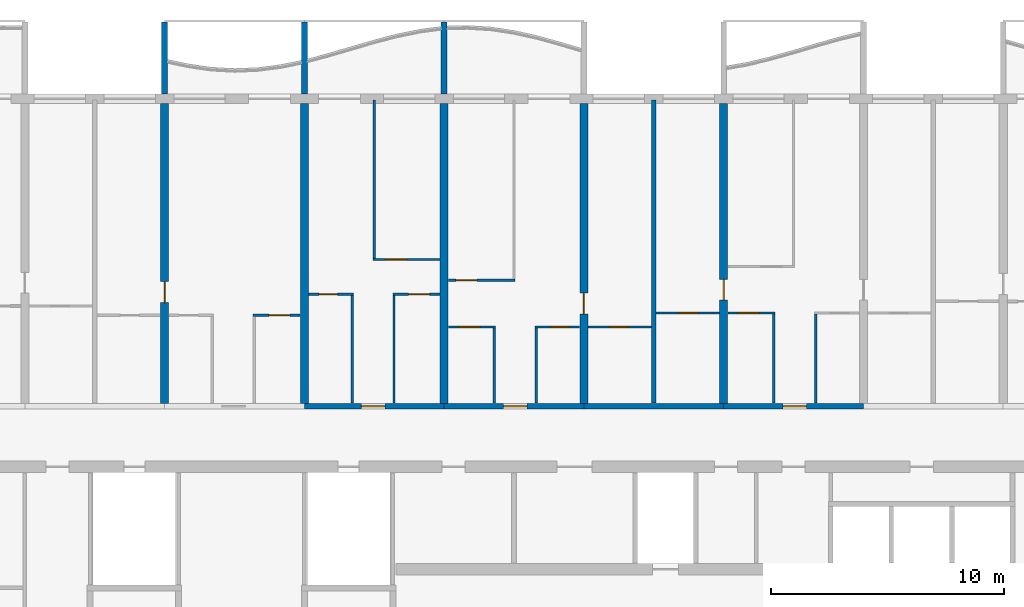
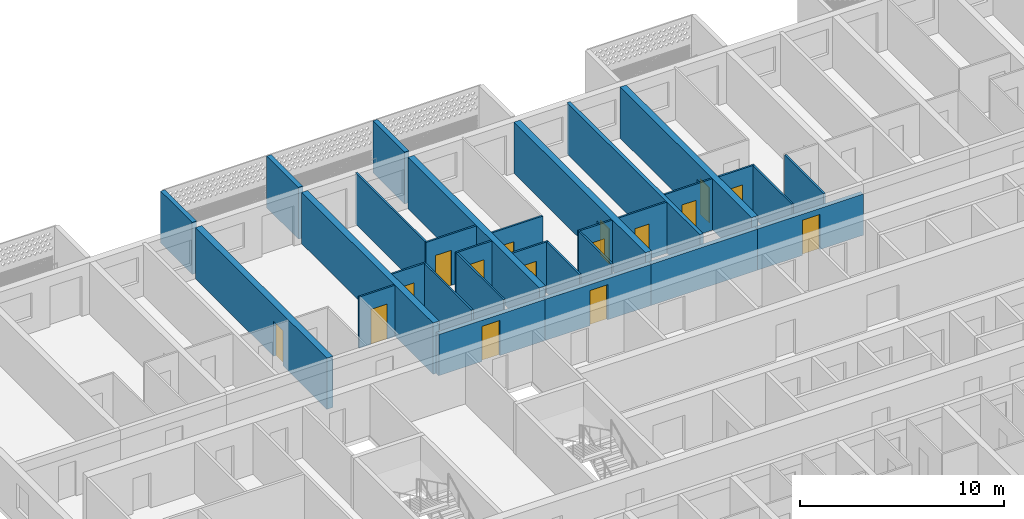
# One storey, part 10 of 25: 30 walls, 16 doors, 16 openings.
"""IFC4 building model written with IfcOpenShell, lengths in metres."""

from ifc_helpers import new_model, si_unit, direction, frame, frame_2d, origin, place, context, subcontext, project, spatial, polyline, rectangle, outline, extrude, source, transform, mapped, material, layer, layer_set, type_object, element, fill, save


model = new_model("IFC4")

# Units and contexts
model_context = context("Model", 3, precision=1e-05, world=origin(), true_north=direction((0.0, 1.0)))
body_context = subcontext(model_context, "Body", "Model", "MODEL_VIEW")
ifc_project = project(units=[si_unit("LENGTHUNIT", "METRE"), si_unit("AREAUNIT", "SQUARE_METRE"), si_unit("VOLUMEUNIT", "CUBIC_METRE"), si_unit("PLANEANGLEUNIT", "RADIAN"), si_unit("MASSUNIT", "GRAM", prefix="KILO")], contexts=[model_context])

# Site, building, storey
site_placement = place(None, origin())
site = spatial("IfcSite", under=ifc_project, at=site_placement, CompositionType="ELEMENT")
building_placement = place(site_placement, origin())
building = spatial("IfcBuilding", under=site, at=building_placement, Name="Poui Terraces", CompositionType="ELEMENT")
storey_placement = place(building_placement, frame((0.0, 0.0, 89.39990234375)))
storey = spatial("IfcBuildingStorey", under=building, at=storey_placement, Name="L24", CompositionType="ELEMENT", Elevation=89.39990234375)

# Wall, opening, door
ifc_material_1 = material(Name="Concrete 65 MPa", Category="concrete")
ifc_layer_1 = layer(ifc_material_1, 0.25)
ifc_layer_set_1 = layer_set([ifc_layer_1], Name="Concrete 65 MPa")
wall_type_1 = type_object("IfcWallType", Name="CORRIDOR WALL 250 65MPa", PredefinedType="SHEAR", material=ifc_layer_set_1)
wall_1_placement = place(storey_placement, frame((30.0, 30.39990234375, 0.0), z_axis=(0.0, 0.0, 1.0), x_axis=(1.0, 0.0, 0.0)))
wall_1 = element("IfcWall", 1, at=wall_1_placement, inside=storey, type_object=wall_type_1, Name="CORRIDOR WALL LINE E BAY 5", PredefinedType="SHEAR", context=body_context, shape_type="SweptSolid", body=[
    extrude(rectangle(XDim=6.0, YDim=0.25, at=frame_2d((3.0, 0.0))), origin(), (0.0, 0.0, 1.0), 2.460205078125),
])
opening_1_placement = place(wall_1_placement, frame((2.449951171875, 0.0, 0.0)))
opening_1 = element("IfcOpeningElement", 2, at=opening_1_placement, cuts=wall_1, Name="Opening FD30S", PredefinedType="OPENING", context=body_context, shape_type="SweptSolid", body=[
    extrude(rectangle(XDim=1.0, YDim=2.10009765625, at=frame_2d((0.5, 1.050048828125))), frame((0.0, 0.135009765625, 0.0), z_axis=(0.0, -1.0, 0.0), x_axis=(1.0, 0.0, 0.0)), (0.0, 0.0, 1.0), 0.27001953125),
])
ifc_material_2 = material(Name="Steel fire door", Category="steel")
door_type_1 = type_object("IfcDoorType", Name="FLAT ENTRANCE DOOR 1000 X 2100", OperationType="NOTDEFINED", PredefinedType="DOOR", material=ifc_material_2)
door_1_placement = place(opening_1_placement, origin())
door_1 = element("IfcDoor", 3, at=door_1_placement, inside=storey, type_object=door_type_1, Name="FLAT ENTRANCE DOOR 044", OperationType="SINGLE_SWING_LEFT", OverallHeight=2.10009765625, OverallWidth=1.0, PredefinedType="DOOR", context=body_context, shape_type="SweptSolid", body=[
    extrude(rectangle(XDim=1.0, YDim=2.10009765625, at=frame_2d((0.5, 1.050048828125))), frame((0.0, 0.02490234375, 0.0), z_axis=(0.0, -1.0, 0.0), x_axis=(1.0, 0.0, 0.0)), (0.0, 0.0, 1.0), 0.050048828125),
])
fill(opening_1, door_1)

wall_2_placement = place(storey_placement, frame((36.0, 30.39990234375, 0.0), z_axis=(0.0, 0.0, 1.0), x_axis=(1.0, 0.0, 0.0)))
wall_2 = element("IfcWall", 4, at=wall_2_placement, inside=storey, type_object=wall_type_1, Name="CORRIDOR WALL LINE E BAY 6", PredefinedType="SHEAR", context=body_context, shape_type="SweptSolid", body=[
    extrude(rectangle(XDim=6.0, YDim=0.25, at=frame_2d((3.0, 0.0))), origin(), (0.0, 0.0, 1.0), 2.460205078125),
])
opening_2_placement = place(wall_2_placement, frame((2.550048828125, 0.0, 0.0)))
opening_2 = element("IfcOpeningElement", 5, at=opening_2_placement, cuts=wall_2, Name="Opening FD30S", PredefinedType="OPENING", context=body_context, shape_type="SweptSolid", body=[
    extrude(rectangle(XDim=1.0, YDim=2.10009765625, at=frame_2d((0.5, 1.050048828125))), frame((0.0, 0.135009765625, 0.0), z_axis=(0.0, -1.0, 0.0), x_axis=(1.0, 0.0, 0.0)), (0.0, 0.0, 1.0), 0.27001953125),
])
door_2_placement = place(opening_2_placement, origin())
door_2 = element("IfcDoor", 6, at=door_2_placement, inside=storey, type_object=door_type_1, Name="FLAT ENTRANCE DOOR 050", OperationType="SINGLE_SWING_RIGHT", OverallHeight=2.10009765625, OverallWidth=1.0, PredefinedType="DOOR", context=body_context, shape_type="SweptSolid", body=[
    extrude(rectangle(XDim=1.0, YDim=2.10009765625, at=frame_2d((0.5, 1.050048828125))), frame((0.0, 0.02490234375, 0.0), z_axis=(0.0, -1.0, 0.0), x_axis=(1.0, 0.0, 0.0)), (0.0, 0.0, 1.0), 0.050048828125),
])
fill(opening_2, door_2)

# Wall
wall_3_placement = place(storey_placement, frame((42.0, 30.39990234375, 0.0), z_axis=(0.0, 0.0, 1.0), x_axis=(1.0, 0.0, 0.0)))
element("IfcWall", 7, at=wall_3_placement, inside=storey, type_object=wall_type_1, Name="CORRIDOR WALL LINE E BAY 7", PredefinedType="SHEAR", context=body_context, shape_type="SweptSolid", body=[
    extrude(rectangle(XDim=6.0, YDim=0.25, at=frame_2d((3.0, 0.0))), origin(), (0.0, 0.0, 1.0), 2.460205078125),
])

# Wall, opening, door
wall_4_placement = place(storey_placement, frame((48.0, 30.39990234375, 0.0), z_axis=(0.0, 0.0, 1.0), x_axis=(1.0, 0.0, 0.0)))
wall_4 = element("IfcWall", 8, at=wall_4_placement, inside=storey, type_object=wall_type_1, Name="CORRIDOR WALL LINE E BAY 8", PredefinedType="SHEAR", context=body_context, shape_type="SweptSolid", body=[
    extrude(rectangle(XDim=6.0, YDim=0.25, at=frame_2d((3.0, 0.0))), origin(), (0.0, 0.0, 1.0), 2.460205078125),
])
opening_3_placement = place(wall_4_placement, frame((2.550048828125, 0.0, 0.0)))
opening_3 = element("IfcOpeningElement", 9, at=opening_3_placement, cuts=wall_4, Name="Opening FD30S", PredefinedType="OPENING", context=body_context, shape_type="SweptSolid", body=[
    extrude(rectangle(XDim=1.0, YDim=2.10009765625, at=frame_2d((0.5, 1.050048828125))), frame((0.0, 0.135009765625, 0.0), z_axis=(0.0, -1.0, 0.0), x_axis=(1.0, 0.0, 0.0)), (0.0, 0.0, 1.0), 0.27001953125),
])
door_3_placement = place(opening_3_placement, origin())
door_3 = element("IfcDoor", 10, at=door_3_placement, inside=storey, type_object=door_type_1, Name="FLAT ENTRANCE DOOR 058", OperationType="SINGLE_SWING_RIGHT", OverallHeight=2.10009765625, OverallWidth=1.0, PredefinedType="DOOR", context=body_context, shape_type="SweptSolid", body=[
    extrude(rectangle(XDim=1.0, YDim=2.10009765625, at=frame_2d((0.5, 1.050048828125))), frame((0.0, 0.02490234375, 0.0), z_axis=(0.0, -1.0, 0.0), x_axis=(1.0, 0.0, 0.0)), (0.0, 0.0, 1.0), 0.050048828125),
])
fill(opening_3, door_3)

ifc_layer_2 = layer(ifc_material_1, 0.35009765625)
ifc_layer_set_2 = layer_set([ifc_layer_2], Name="Concrete 65 MPa")
wall_type_2 = type_object("IfcWallType", Name="CROSS WALL 350 65MPa", PredefinedType="SHEAR", material=ifc_layer_set_2)
wall_5_placement = place(storey_placement, frame((24.0, 30.52490234375, 0.0), z_axis=(0.0, 0.0, 1.0), x_axis=(0.0, 1.0, 0.0)))
wall_5 = element("IfcWall", 11, at=wall_5_placement, inside=storey, type_object=wall_type_2, Name="CROSS WALL LINE 5 NORTH", PredefinedType="SHEAR", context=body_context, shape_type="SweptSolid", body=[
    extrude(rectangle(XDim=12.875, YDim=0.35009765625, at=frame_2d((6.4375, 0.0))), origin(), (0.0, 0.0, 1.0), 3.06005859375),
])
opening_4_placement = place(wall_5_placement, frame((4.324951171875, 0.0, 0.0)))
opening_4 = element("IfcOpeningElement", 12, at=opening_4_placement, cuts=wall_5, Name="Opening D90", PredefinedType="OPENING", context=body_context, shape_type="SweptSolid", body=[
    extrude(rectangle(XDim=0.89990234375, YDim=2.10009765625, at=frame_2d((0.449951171875, 1.050048828125))), frame((0.0, 0.18505859375, 0.0), z_axis=(0.0, -1.0, 0.0), x_axis=(1.0, 0.0, 0.0)), (0.0, 0.0, 1.0), 0.3701171875),
])
ifc_material_3 = material(Name="Solid core timber door", Category="wood")
door_type_2 = type_object("IfcDoorType", Name="INTERNAL DOOR 900 X 2100", OperationType="NOTDEFINED", PredefinedType="DOOR", material=ifc_material_3)
door_4_placement = place(opening_4_placement, origin())
door_4 = element("IfcDoor", 13, at=door_4_placement, inside=storey, type_object=door_type_2, Name="INTERNAL DOOR 039", OperationType="SINGLE_SWING_LEFT", OverallHeight=2.10009765625, OverallWidth=0.89990234375, PredefinedType="DOOR", context=body_context, shape_type="SweptSolid", body=[
    extrude(rectangle(XDim=0.89990234375, YDim=2.10009765625, at=frame_2d((0.449951171875, 1.050048828125))), frame((0.0, 0.02490234375, 0.0), z_axis=(0.0, -1.0, 0.0), x_axis=(1.0, 0.0, 0.0)), (0.0, 0.0, 1.0), 0.050048828125),
])
fill(opening_4, door_4)

# Walls
for number, where, z_axis, x_axis, name in (
    (14, (30.0, 30.52490234375, 0.0), (0.0, 0.0, 1.0), (0.0, 1.0, 0.0), "CROSS WALL LINE 6 NORTH"),
    (15, (36.0, 30.52490234375, 0.0), (0.0, 0.0, 1.0), (0.0, 1.0, 0.0), "CROSS WALL LINE 7 NORTH"),
):
    element("IfcWall", number, at=place(storey_placement, frame(where, z_axis=z_axis, x_axis=x_axis)), inside=storey, type_object=wall_type_2, Name=name, PredefinedType="SHEAR", context=body_context, shape_type="SweptSolid", body=[
        extrude(rectangle(XDim=12.875, YDim=0.35009765625, at=frame_2d((6.4375, 0.0))), origin(), (0.0, 0.0, 1.0), 3.06005859375),
    ])

# Wall, opening, door
wall_6_placement = place(storey_placement, frame((42.0, 30.52490234375, 0.0), z_axis=(0.0, 0.0, 1.0), x_axis=(0.0, 1.0, 0.0)))
wall_6 = element("IfcWall", 16, at=wall_6_placement, inside=storey, type_object=wall_type_2, Name="CROSS WALL LINE 8 NORTH", PredefinedType="SHEAR", context=body_context, shape_type="SweptSolid", body=[
    extrude(rectangle(XDim=12.875, YDim=0.35009765625, at=frame_2d((6.4375, 0.0))), origin(), (0.0, 0.0, 1.0), 3.06005859375),
])
opening_5_placement = place(wall_6_placement, frame((3.824951171875, 0.0, 0.0)))
opening_5 = element("IfcOpeningElement", 17, at=opening_5_placement, cuts=wall_6, Name="Opening D90", PredefinedType="OPENING", context=body_context, shape_type="SweptSolid", body=[
    extrude(rectangle(XDim=0.89990234375, YDim=2.10009765625, at=frame_2d((0.449951171875, 1.050048828125))), frame((0.0, 0.18505859375, 0.0), z_axis=(0.0, -1.0, 0.0), x_axis=(1.0, 0.0, 0.0)), (0.0, 0.0, 1.0), 0.3701171875),
])
door_5_placement = place(opening_5_placement, frame((0.89990234375, 0.0, 0.0), z_axis=(0.0, 0.0, 1.0), x_axis=(-1.0, 0.0, 0.0)))
door_5 = element("IfcDoor", 18, at=door_5_placement, inside=storey, type_object=door_type_2, Name="INTERNAL DOOR 052", OperationType="SINGLE_SWING_RIGHT", OverallHeight=2.10009765625, OverallWidth=0.89990234375, PredefinedType="DOOR", context=body_context, shape_type="SweptSolid", body=[
    extrude(rectangle(XDim=0.89990234375, YDim=2.10009765625, at=frame_2d((0.449951171875, 1.050048828125))), frame((0.0, 0.02490234375, 0.0), z_axis=(0.0, -1.0, 0.0), x_axis=(1.0, 0.0, 0.0)), (0.0, 0.0, 1.0), 0.050048828125),
])
fill(opening_5, door_5)

wall_7_placement = place(storey_placement, frame((48.0, 30.52490234375, 0.0), z_axis=(0.0, 0.0, 1.0), x_axis=(0.0, 1.0, 0.0)))
wall_7 = element("IfcWall", 19, at=wall_7_placement, inside=storey, type_object=wall_type_2, Name="CROSS WALL LINE 9 NORTH", PredefinedType="SHEAR", context=body_context, shape_type="SweptSolid", body=[
    extrude(rectangle(XDim=12.875, YDim=0.35009765625, at=frame_2d((6.4375, 0.0))), origin(), (0.0, 0.0, 1.0), 3.06005859375),
])
opening_6_placement = place(wall_7_placement, frame((4.425048828125, 0.0, 0.0)))
opening_6 = element("IfcOpeningElement", 20, at=opening_6_placement, cuts=wall_7, Name="Opening D90", PredefinedType="OPENING", context=body_context, shape_type="SweptSolid", body=[
    extrude(rectangle(XDim=0.89990234375, YDim=2.10009765625, at=frame_2d((0.449951171875, 1.050048828125))), frame((0.0, 0.18505859375, 0.0), z_axis=(0.0, -1.0, 0.0), x_axis=(1.0, 0.0, 0.0)), (0.0, 0.0, 1.0), 0.3701171875),
])
door_6_placement = place(opening_6_placement, origin())
door_6 = element("IfcDoor", 21, at=door_6_placement, inside=storey, type_object=door_type_2, Name="INTERNAL DOOR 055", OperationType="SINGLE_SWING_LEFT", OverallHeight=2.10009765625, OverallWidth=0.89990234375, PredefinedType="DOOR", context=body_context, shape_type="SweptSolid", body=[
    extrude(rectangle(XDim=0.89990234375, YDim=2.10009765625, at=frame_2d((0.449951171875, 1.050048828125))), frame((0.0, 0.02490234375, 0.0), z_axis=(0.0, -1.0, 0.0), x_axis=(1.0, 0.0, 0.0)), (0.0, 0.0, 1.0), 0.050048828125),
])
fill(opening_6, door_6)

ifc_material_4 = material(Name="Plasterboard partition")
ifc_layer_3 = layer(ifc_material_4, 0.10009765625)
ifc_layer_set_3 = layer_set([ifc_layer_3], Name="Plasterboard partition")
wall_type_3 = type_object("IfcWallType", Name="FLAT PARTITION 100", PredefinedType="PARTITIONING", material=ifc_layer_set_3)
wall_8_placement = place(storey_placement, frame((36.18505859375, 33.800048828125, 0.0), z_axis=(0.0, 0.0, 1.0), x_axis=(1.0, 0.0, 0.0)))
wall_8 = element("IfcWall", 22, at=wall_8_placement, inside=storey, type_object=wall_type_3, Name="FLAT PARTITION 100", PredefinedType="PARTITIONING", context=body_context, shape_type="SweptSolid", body=[
    extrude(rectangle(XDim=2.014892578125, YDim=0.10009765625, at=frame_2d((1.00732421875, 0.0))), origin(), (0.0, 0.0, 1.0), 3.06005859375),
])
opening_7_placement = place(wall_8_placement, frame((0.43994140625, 0.0, 0.0)))
opening_7 = element("IfcOpeningElement", 23, at=opening_7_placement, cuts=wall_8, Name="Opening D90", PredefinedType="OPENING", context=body_context, shape_type="SweptSolid", body=[
    extrude(rectangle(XDim=0.89990234375, YDim=2.10009765625, at=frame_2d((0.449951171875, 1.050048828125))), frame((0.0, 0.06005859375, 0.0), z_axis=(0.0, -1.0, 0.0), x_axis=(1.0, 0.0, 0.0)), (0.0, 0.0, 1.0), 0.1201171875),
])
door_7_placement = place(opening_7_placement, frame((0.89990234375, 0.0, 0.0), z_axis=(0.0, 0.0, 1.0), x_axis=(-1.0, 0.0, 0.0)))
door_7 = element("IfcDoor", 24, at=door_7_placement, inside=storey, type_object=door_type_2, Name="INTERNAL DOOR 049", OperationType="SINGLE_SWING_RIGHT", OverallHeight=2.10009765625, OverallWidth=0.89990234375, PredefinedType="DOOR", context=body_context, shape_type="SweptSolid", body=[
    extrude(rectangle(XDim=0.89990234375, YDim=2.10009765625, at=frame_2d((0.449951171875, 1.050048828125))), frame((0.0, 0.02490234375, 0.0), z_axis=(0.0, -1.0, 0.0), x_axis=(1.0, 0.0, 0.0)), (0.0, 0.0, 1.0), 0.050048828125),
])
fill(opening_7, door_7)

wall_9_placement = place(storey_placement, frame((39.89990234375, 33.800048828125, 0.0), z_axis=(0.0, 0.0, 1.0), x_axis=(1.0, 0.0, 0.0)))
wall_9 = element("IfcWall", 25, at=wall_9_placement, inside=storey, type_object=wall_type_3, Name="FLAT PARTITION 100", PredefinedType="PARTITIONING", context=body_context, shape_type="SweptSolid", body=[
    extrude(rectangle(XDim=1.9150390625, YDim=0.10009765625, at=frame_2d((0.95751953125, 0.0))), origin(), (0.0, 0.0, 1.0), 3.06005859375),
])
opening_8_placement = place(wall_9_placement, frame((0.675048828125, 0.0, 0.0)))
opening_8 = element("IfcOpeningElement", 26, at=opening_8_placement, cuts=wall_9, Name="Opening D80", PredefinedType="OPENING", context=body_context, shape_type="SweptSolid", body=[
    extrude(rectangle(XDim=0.800048828125, YDim=2.10009765625, at=frame_2d((0.39990234375, 1.050048828125))), frame((0.0, 0.06005859375, 0.0), z_axis=(0.0, -1.0, 0.0), x_axis=(1.0, 0.0, 0.0)), (0.0, 0.0, 1.0), 0.1201171875),
])
door_type_3 = type_object("IfcDoorType", Name="BATHROOM, LAUNDRY AND STORE DOOR 800 X 2100", OperationType="NOTDEFINED", PredefinedType="DOOR", material=ifc_material_3)
door_8_placement = place(opening_8_placement, frame((0.800048828125, 0.0, 0.0), z_axis=(0.0, 0.0, 1.0), x_axis=(-1.0, 0.0, 0.0)))
door_8 = element("IfcDoor", 27, at=door_8_placement, inside=storey, type_object=door_type_3, Name="BATHROOM, LAUNDRY AND STORE DOOR 051", OperationType="SINGLE_SWING_LEFT", OverallHeight=2.10009765625, OverallWidth=0.800048828125, PredefinedType="DOOR", context=body_context, shape_type="SweptSolid", body=[
    extrude(rectangle(XDim=0.800048828125, YDim=2.10009765625, at=frame_2d((0.39990234375, 1.050048828125))), frame((0.0, 0.02490234375, 0.0), z_axis=(0.0, -1.0, 0.0), x_axis=(1.0, 0.0, 0.0)), (0.0, 0.0, 1.0), 0.050048828125),
])
fill(opening_8, door_8)

wall_10_placement = place(storey_placement, frame((42.18505859375, 33.800048828125, 0.0), z_axis=(0.0, 0.0, 1.0), x_axis=(1.0, 0.0, 0.0)))
wall_10 = element("IfcWall", 28, at=wall_10_placement, inside=storey, type_object=wall_type_3, Name="FLAT PARTITION 100", PredefinedType="PARTITIONING", context=body_context, shape_type="SweptSolid", body=[
    extrude(rectangle(XDim=2.71484375, YDim=0.10009765625, at=frame_2d((1.357421875, 0.0))), origin(), (0.0, 0.0, 1.0), 3.06005859375),
])
opening_9_placement = place(wall_10_placement, frame((0.9150390625, 0.0, 0.0)))
opening_9 = element("IfcOpeningElement", 29, at=opening_9_placement, cuts=wall_10, Name="Opening D80", PredefinedType="OPENING", context=body_context, shape_type="SweptSolid", body=[
    extrude(rectangle(XDim=0.800048828125, YDim=2.10009765625, at=frame_2d((0.39990234375, 1.050048828125))), frame((0.0, 0.06005859375, 0.0), z_axis=(0.0, -1.0, 0.0), x_axis=(1.0, 0.0, 0.0)), (0.0, 0.0, 1.0), 0.1201171875),
])
door_9_placement = place(opening_9_placement, frame((0.800048828125, 0.0, 0.0), z_axis=(0.0, 0.0, 1.0), x_axis=(-1.0, 0.0, 0.0)))
door_9 = element("IfcDoor", 30, at=door_9_placement, inside=storey, type_object=door_type_3, Name="BATHROOM, LAUNDRY AND STORE DOOR 047", OperationType="SINGLE_SWING_RIGHT", OverallHeight=2.10009765625, OverallWidth=0.800048828125, PredefinedType="DOOR", context=body_context, shape_type="SweptSolid", body=[
    extrude(rectangle(XDim=0.800048828125, YDim=2.10009765625, at=frame_2d((0.39990234375, 1.050048828125))), frame((0.0, 0.02490234375, 0.0), z_axis=(0.0, -1.0, 0.0), x_axis=(1.0, 0.0, 0.0)), (0.0, 0.0, 1.0), 0.050048828125),
])
fill(opening_9, door_9)

wall_11_placement = place(storey_placement, frame((27.800048828125, 34.300048828125, 0.0), z_axis=(0.0, 0.0, 1.0), x_axis=(1.0, 0.0, 0.0)))
wall_11 = element("IfcWall", 31, at=wall_11_placement, inside=storey, type_object=wall_type_3, Name="FLAT PARTITION 100", PredefinedType="PARTITIONING", context=body_context, shape_type="SweptSolid", body=[
    extrude(rectangle(XDim=2.014892578125, YDim=0.10009765625, at=frame_2d((1.00732421875, 0.0))), origin(), (0.0, 0.0, 1.0), 3.06005859375),
])
opening_10_placement = place(wall_11_placement, frame((0.675048828125, 0.0, 0.0)))
opening_10 = element("IfcOpeningElement", 32, at=opening_10_placement, cuts=wall_11, Name="Opening D90", PredefinedType="OPENING", context=body_context, shape_type="SweptSolid", body=[
    extrude(rectangle(XDim=0.89990234375, YDim=2.10009765625, at=frame_2d((0.449951171875, 1.050048828125))), frame((0.0, 0.06005859375, 0.0), z_axis=(0.0, -1.0, 0.0), x_axis=(1.0, 0.0, 0.0)), (0.0, 0.0, 1.0), 0.1201171875),
])
door_10_placement = place(opening_10_placement, frame((0.89990234375, 0.0, 0.0), z_axis=(0.0, 0.0, 1.0), x_axis=(-1.0, 0.0, 0.0)))
door_10 = element("IfcDoor", 33, at=door_10_placement, inside=storey, type_object=door_type_2, Name="INTERNAL DOOR 042", OperationType="SINGLE_SWING_RIGHT", OverallHeight=2.10009765625, OverallWidth=0.89990234375, PredefinedType="DOOR", context=body_context, shape_type="SweptSolid", body=[
    extrude(rectangle(XDim=0.89990234375, YDim=2.10009765625, at=frame_2d((0.449951171875, 1.050048828125))), frame((0.0, 0.02490234375, 0.0), z_axis=(0.0, -1.0, 0.0), x_axis=(1.0, 0.0, 0.0)), (0.0, 0.0, 1.0), 0.050048828125),
])
fill(opening_10, door_10)

wall_12_placement = place(storey_placement, frame((45.10009765625, 34.39990234375, 0.0), z_axis=(0.0, 0.0, 1.0), x_axis=(1.0, 0.0, 0.0)))
wall_12 = element("IfcWall", 34, at=wall_12_placement, inside=storey, type_object=wall_type_3, Name="FLAT PARTITION 100", PredefinedType="PARTITIONING", context=body_context, shape_type="SweptSolid", body=[
    extrude(rectangle(XDim=2.71484375, YDim=0.10009765625, at=frame_2d((1.357421875, 0.0))), origin(), (0.0, 0.0, 1.0), 3.06005859375),
])
opening_11_placement = place(wall_12_placement, frame((1.0, 0.0, 0.0)))
opening_11 = element("IfcOpeningElement", 35, at=opening_11_placement, cuts=wall_12, Name="Opening D80", PredefinedType="OPENING", context=body_context, shape_type="SweptSolid", body=[
    extrude(rectangle(XDim=0.800048828125, YDim=2.10009765625, at=frame_2d((0.39990234375, 1.050048828125))), frame((0.0, 0.06005859375, 0.0), z_axis=(0.0, -1.0, 0.0), x_axis=(1.0, 0.0, 0.0)), (0.0, 0.0, 1.0), 0.1201171875),
])
door_11_placement = place(opening_11_placement, frame((0.800048828125, 0.0, 0.0), z_axis=(0.0, 0.0, 1.0), x_axis=(-1.0, 0.0, 0.0)))
door_11 = element("IfcDoor", 36, at=door_11_placement, inside=storey, type_object=door_type_3, Name="BATHROOM, LAUNDRY AND STORE DOOR 053", OperationType="SINGLE_SWING_LEFT", OverallHeight=2.10009765625, OverallWidth=0.800048828125, PredefinedType="DOOR", context=body_context, shape_type="SweptSolid", body=[
    extrude(rectangle(XDim=0.800048828125, YDim=2.10009765625, at=frame_2d((0.39990234375, 1.050048828125))), frame((0.0, 0.02490234375, 0.0), z_axis=(0.0, -1.0, 0.0), x_axis=(1.0, 0.0, 0.0)), (0.0, 0.0, 1.0), 0.050048828125),
])
fill(opening_11, door_11)

wall_13_placement = place(storey_placement, frame((48.18505859375, 34.39990234375, 0.0), z_axis=(0.0, 0.0, 1.0), x_axis=(1.0, 0.0, 0.0)))
wall_13 = element("IfcWall", 37, at=wall_13_placement, inside=storey, type_object=wall_type_3, Name="FLAT PARTITION 100", PredefinedType="PARTITIONING", context=body_context, shape_type="SweptSolid", body=[
    extrude(rectangle(XDim=2.014892578125, YDim=0.10009765625, at=frame_2d((1.00732421875, 0.0))), origin(), (0.0, 0.0, 1.0), 3.06005859375),
])
opening_12_placement = place(wall_13_placement, frame((0.43994140625, 0.0, 0.0)))
opening_12 = element("IfcOpeningElement", 38, at=opening_12_placement, cuts=wall_13, Name="Opening D90", PredefinedType="OPENING", context=body_context, shape_type="SweptSolid", body=[
    extrude(rectangle(XDim=0.89990234375, YDim=2.10009765625, at=frame_2d((0.449951171875, 1.050048828125))), frame((0.0, 0.06005859375, 0.0), z_axis=(0.0, -1.0, 0.0), x_axis=(1.0, 0.0, 0.0)), (0.0, 0.0, 1.0), 0.1201171875),
])
door_12_placement = place(opening_12_placement, frame((0.89990234375, 0.0, 0.0), z_axis=(0.0, 0.0, 1.0), x_axis=(-1.0, 0.0, 0.0)))
door_12 = element("IfcDoor", 39, at=door_12_placement, inside=storey, type_object=door_type_2, Name="INTERNAL DOOR 056", OperationType="SINGLE_SWING_LEFT", OverallHeight=2.10009765625, OverallWidth=0.89990234375, PredefinedType="DOOR", context=body_context, shape_type="SweptSolid", body=[
    extrude(rectangle(XDim=0.89990234375, YDim=2.10009765625, at=frame_2d((0.449951171875, 1.050048828125))), frame((0.0, 0.02490234375, 0.0), z_axis=(0.0, -1.0, 0.0), x_axis=(1.0, 0.0, 0.0)), (0.0, 0.0, 1.0), 0.050048828125),
])
fill(opening_12, door_12)

wall_14_placement = place(storey_placement, frame((30.18505859375, 35.199951171875, 0.0), z_axis=(0.0, 0.0, 1.0), x_axis=(1.0, 0.0, 0.0)))
wall_14 = element("IfcWall", 40, at=wall_14_placement, inside=storey, type_object=wall_type_3, Name="FLAT PARTITION 100", PredefinedType="PARTITIONING", context=body_context, shape_type="SweptSolid", body=[
    extrude(rectangle(XDim=1.9150390625, YDim=0.10009765625, at=frame_2d((0.95751953125, 0.0))), origin(), (0.0, 0.0, 1.0), 3.06005859375),
])
opening_13_placement = place(wall_14_placement, frame((0.43994140625, 0.0, 0.0)))
opening_13 = element("IfcOpeningElement", 41, at=opening_13_placement, cuts=wall_14, Name="Opening D80", PredefinedType="OPENING", context=body_context, shape_type="SweptSolid", body=[
    extrude(rectangle(XDim=0.800048828125, YDim=2.10009765625, at=frame_2d((0.39990234375, 1.050048828125))), frame((0.0, 0.06005859375, 0.0), z_axis=(0.0, -1.0, 0.0), x_axis=(1.0, 0.0, 0.0)), (0.0, 0.0, 1.0), 0.1201171875),
])
door_13_placement = place(opening_13_placement, frame((0.800048828125, 0.0, 0.0), z_axis=(0.0, 0.0, 1.0), x_axis=(-1.0, 0.0, 0.0)))
door_13 = element("IfcDoor", 42, at=door_13_placement, inside=storey, type_object=door_type_3, Name="BATHROOM, LAUNDRY AND STORE DOOR 043", OperationType="SINGLE_SWING_LEFT", OverallHeight=2.10009765625, OverallWidth=0.800048828125, PredefinedType="DOOR", context=body_context, shape_type="SweptSolid", body=[
    extrude(rectangle(XDim=0.800048828125, YDim=2.10009765625, at=frame_2d((0.39990234375, 1.050048828125))), frame((0.0, 0.02490234375, 0.0), z_axis=(0.0, -1.0, 0.0), x_axis=(1.0, 0.0, 0.0)), (0.0, 0.0, 1.0), 0.050048828125),
])
fill(opening_13, door_13)

wall_15_placement = place(storey_placement, frame((33.800048828125, 35.199951171875, 0.0), z_axis=(0.0, 0.0, 1.0), x_axis=(1.0, 0.0, 0.0)))
wall_15 = element("IfcWall", 43, at=wall_15_placement, inside=storey, type_object=wall_type_3, Name="FLAT PARTITION 100", PredefinedType="PARTITIONING", context=body_context, shape_type="SweptSolid", body=[
    extrude(rectangle(XDim=2.014892578125, YDim=0.10009765625, at=frame_2d((1.00732421875, 0.0))), origin(), (0.0, 0.0, 1.0), 3.06005859375),
])
opening_14_placement = place(wall_15_placement, frame((0.675048828125, 0.0, 0.0)))
opening_14 = element("IfcOpeningElement", 44, at=opening_14_placement, cuts=wall_15, Name="Opening D90", PredefinedType="OPENING", context=body_context, shape_type="SweptSolid", body=[
    extrude(rectangle(XDim=0.89990234375, YDim=2.10009765625, at=frame_2d((0.449951171875, 1.050048828125))), frame((0.0, 0.06005859375, 0.0), z_axis=(0.0, -1.0, 0.0), x_axis=(1.0, 0.0, 0.0)), (0.0, 0.0, 1.0), 0.1201171875),
])
door_14_placement = place(opening_14_placement, frame((0.89990234375, 0.0, 0.0), z_axis=(0.0, 0.0, 1.0), x_axis=(-1.0, 0.0, 0.0)))
door_14 = element("IfcDoor", 45, at=door_14_placement, inside=storey, type_object=door_type_2, Name="INTERNAL DOOR 046", OperationType="SINGLE_SWING_RIGHT", OverallHeight=2.10009765625, OverallWidth=0.89990234375, PredefinedType="DOOR", context=body_context, shape_type="SweptSolid", body=[
    extrude(rectangle(XDim=0.89990234375, YDim=2.10009765625, at=frame_2d((0.449951171875, 1.050048828125))), frame((0.0, 0.02490234375, 0.0), z_axis=(0.0, -1.0, 0.0), x_axis=(1.0, 0.0, 0.0)), (0.0, 0.0, 1.0), 0.050048828125),
])
fill(opening_14, door_14)

wall_16_placement = place(storey_placement, frame((36.18505859375, 35.800048828125, 0.0), z_axis=(0.0, 0.0, 1.0), x_axis=(1.0, 0.0, 0.0)))
wall_16 = element("IfcWall", 46, at=wall_16_placement, inside=storey, type_object=wall_type_3, Name="FLAT PARTITION 100", PredefinedType="PARTITIONING", context=body_context, shape_type="SweptSolid", body=[
    extrude(rectangle(XDim=2.864990234375, YDim=0.10009765625, at=frame_2d((1.4326171875, 0.0))), origin(), (0.0, 0.0, 1.0), 3.06005859375),
])
opening_15_placement = place(wall_16_placement, frame((0.31494140625, 0.0, 0.0)))
opening_15 = element("IfcOpeningElement", 47, at=opening_15_placement, cuts=wall_16, Name="Opening D90", PredefinedType="OPENING", context=body_context, shape_type="SweptSolid", body=[
    extrude(rectangle(XDim=0.89990234375, YDim=2.10009765625, at=frame_2d((0.449951171875, 1.050048828125))), frame((0.0, 0.06005859375, 0.0), z_axis=(0.0, -1.0, 0.0), x_axis=(1.0, 0.0, 0.0)), (0.0, 0.0, 1.0), 0.1201171875),
])
door_15_placement = place(opening_15_placement, frame((0.89990234375, 0.0, 0.0), z_axis=(0.0, 0.0, 1.0), x_axis=(-1.0, 0.0, 0.0)))
door_15 = element("IfcDoor", 48, at=door_15_placement, inside=storey, type_object=door_type_2, Name="INTERNAL DOOR 048", OperationType="SINGLE_SWING_LEFT", OverallHeight=2.10009765625, OverallWidth=0.89990234375, PredefinedType="DOOR", context=body_context, shape_type="SweptSolid", body=[
    extrude(rectangle(XDim=0.89990234375, YDim=2.10009765625, at=frame_2d((0.449951171875, 1.050048828125))), frame((0.0, 0.02490234375, 0.0), z_axis=(0.0, -1.0, 0.0), x_axis=(1.0, 0.0, 0.0)), (0.0, 0.0, 1.0), 0.050048828125),
])
fill(opening_15, door_15)

wall_17_placement = place(storey_placement, frame((32.949951171875, 36.699951171875, 0.0), z_axis=(0.0, 0.0, 1.0), x_axis=(1.0, 0.0, 0.0)))
wall_17 = element("IfcWall", 49, at=wall_17_placement, inside=storey, type_object=wall_type_3, Name="FLAT PARTITION 100", PredefinedType="PARTITIONING", context=body_context, shape_type="SweptSolid", body=[
    extrude(rectangle(XDim=2.864990234375, YDim=0.10009765625, at=frame_2d((1.4326171875, 0.0))), origin(), (0.0, 0.0, 1.0), 3.06005859375),
])
opening_16_placement = place(wall_17_placement, frame((0.550048828125, 0.0, 0.0)))
opening_16 = element("IfcOpeningElement", 50, at=opening_16_placement, cuts=wall_17, Name="Opening D90", PredefinedType="OPENING", context=body_context, shape_type="SweptSolid", body=[
    extrude(rectangle(XDim=0.89990234375, YDim=2.10009765625, at=frame_2d((0.449951171875, 1.050048828125))), frame((0.0, 0.06005859375, 0.0), z_axis=(0.0, -1.0, 0.0), x_axis=(1.0, 0.0, 0.0)), (0.0, 0.0, 1.0), 0.1201171875),
])
door_16_placement = place(opening_16_placement, frame((0.89990234375, 0.0, 0.0), z_axis=(0.0, 0.0, 1.0), x_axis=(-1.0, 0.0, 0.0)))
door_16 = element("IfcDoor", 51, at=door_16_placement, inside=storey, type_object=door_type_2, Name="INTERNAL DOOR 045", OperationType="SINGLE_SWING_LEFT", OverallHeight=2.10009765625, OverallWidth=0.89990234375, PredefinedType="DOOR", context=body_context, shape_type="SweptSolid", body=[
    extrude(rectangle(XDim=0.89990234375, YDim=2.10009765625, at=frame_2d((0.449951171875, 1.050048828125))), frame((0.0, 0.02490234375, 0.0), z_axis=(0.0, -1.0, 0.0), x_axis=(1.0, 0.0, 0.0)), (0.0, 0.0, 1.0), 0.050048828125),
])
fill(opening_16, door_16)

# Walls
wall_18_placement = place(storey_placement, frame((32.050048828125, 30.534912109375, 0.0), z_axis=(0.0, 0.0, 1.0), x_axis=(0.0, 1.0, 0.0)))
element("IfcWall", 52, at=wall_18_placement, inside=storey, type_object=wall_type_3, Name="FLAT PARTITION 100", PredefinedType="PARTITIONING", context=body_context, shape_type="SweptSolid", body=[
    extrude(rectangle(XDim=4.614990234375, YDim=0.10009765625, at=frame_2d((2.3076171875, 0.0))), origin(), (0.0, 0.0, 1.0), 3.06005859375),
])
wall_19_placement = place(storey_placement, frame((33.0, 36.75, 0.0), z_axis=(0.0, 0.0, 1.0), x_axis=(0.0, 1.0, 0.0)))
element("IfcWall", 53, at=wall_19_placement, inside=storey, type_object=wall_type_3, Name="FLAT PARTITION 100", PredefinedType="PARTITIONING", context=body_context, shape_type="SweptSolid", body=[
    extrude(rectangle(XDim=6.7900390625, YDim=0.10009765625, at=frame_2d((3.39501953125, 0.0))), origin(), (0.0, 0.0, 1.0), 3.06005859375),
])
wall_20_placement = place(storey_placement, frame((33.85009765625, 30.534912109375, 0.0), z_axis=(0.0, 0.0, 1.0), x_axis=(0.0, 1.0, 0.0)))
element("IfcWall", 54, at=wall_20_placement, inside=storey, type_object=wall_type_3, Name="FLAT PARTITION 100", PredefinedType="PARTITIONING", context=body_context, shape_type="SweptSolid", body=[
    extrude(rectangle(XDim=4.614990234375, YDim=0.10009765625, at=frame_2d((2.3076171875, 0.0))), origin(), (0.0, 0.0, 1.0), 3.06005859375),
])
for number, where, z_axis, x_axis, name in (
    (55, (38.14990234375, 30.534912109375, 0.0), (0.0, 0.0, 1.0), (0.0, 1.0, 0.0), "FLAT PARTITION 100"),
    (56, (39.949951171875, 30.534912109375, 0.0), (0.0, 0.0, 1.0), (0.0, 1.0, 0.0), "FLAT PARTITION 100"),
):
    element("IfcWall", number, at=place(storey_placement, frame(where, z_axis=z_axis, x_axis=x_axis)), inside=storey, type_object=wall_type_3, Name=name, PredefinedType="PARTITIONING", context=body_context, shape_type="SweptSolid", body=[
        extrude(rectangle(XDim=3.215087890625, YDim=0.10009765625, at=frame_2d((1.607421875, 0.0))), origin(), (0.0, 0.0, 1.0), 3.06005859375),
    ])
for number, where, z_axis, x_axis, name in (
    (57, (50.14990234375, 30.534912109375, 0.0), (0.0, 0.0, 1.0), (0.0, 1.0, 0.0), "FLAT PARTITION 100"),
    (58, (51.949951171875, 30.534912109375, 0.0), (0.0, 0.0, 1.0), (0.0, 1.0, 0.0), "FLAT PARTITION 100"),
):
    element("IfcWall", number, at=place(storey_placement, frame(where, z_axis=z_axis, x_axis=x_axis)), inside=storey, type_object=wall_type_3, Name=name, PredefinedType="PARTITIONING", context=body_context, shape_type="SweptSolid", body=[
        extrude(rectangle(XDim=3.815185546875, YDim=0.10009765625, at=frame_2d((1.90771484375, 0.0))), origin(), (0.0, 0.0, 1.0), 3.06005859375),
    ])
ifc_material_5 = material(Name="Fire-rated masonry wall", Category="masonry")
ifc_layer_4 = layer(ifc_material_5, 0.199951171875)
ifc_layer_set_4 = layer_set([ifc_layer_4], Name="Fire-rated masonry wall")
wall_type_4 = type_object("IfcWallType", Name="FLAT PARTY WALL 200", PredefinedType="PARTITIONING", material=ifc_layer_set_4)
wall_21_placement = place(storey_placement, frame((45.0, 30.534912109375, 0.0), z_axis=(0.0, 0.0, 1.0), x_axis=(0.0, 1.0, 0.0)))
element("IfcWall", 59, at=wall_21_placement, inside=storey, type_object=wall_type_4, Name="FLAT PARTY WALL 200", PredefinedType="PARTITIONING", context=body_context, shape_type="SweptSolid", body=[
    extrude(rectangle(XDim=13.005126953125, YDim=0.199951171875, at=frame_2d((6.50244140625, 0.0))), origin(), (0.0, 0.0, 1.0), 3.06005859375),
])
ifc_material_6 = material(Name="Precast concrete 40 MPa", Category="concrete")
ifc_layer_5 = layer(ifc_material_6, 0.25)
ifc_layer_set_5 = layer_set([ifc_layer_5], Name="Precast concrete 40 MPa")
wall_type_5 = type_object("IfcWallType", Name="BALCONY FIN 250", PredefinedType="STANDARD", material=ifc_layer_set_5)
shared_shape = source(origin(), body_context, "Body", "SweptSolid", [
    extrude(outline(polyline([(0.0, 0.0), (0.25, 0.0), (0.25, 3.099853515625), (0.0, 3.099853515625), (0.0, 0.0)])), origin(), (0.0, 0.0, 1.0), 3.10009765625),
])
for number, where, name in (
    (60, (23.875, 43.800048828125, 0.0), "BALCONY FIN"),
    (61, (29.875, 43.800048828125, 0.0), "BALCONY FIN"),
    (62, (35.875, 43.800048828125, 0.0), "BALCONY FIN"),
):
    element("IfcWall", number, at=place(storey_placement, frame(where)), inside=storey, type_object=wall_type_5, Name=name, PredefinedType="STANDARD", context=body_context, shape_type="MappedRepresentation", body=[
        mapped(shared_shape, transform((0.0, 0.0, 0.0))),
    ])

save(model, "model.ifc")
